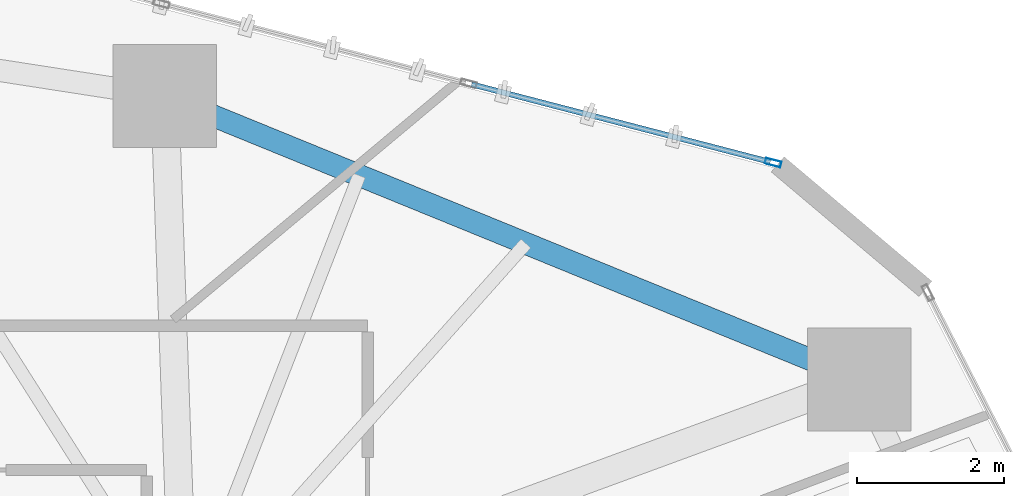
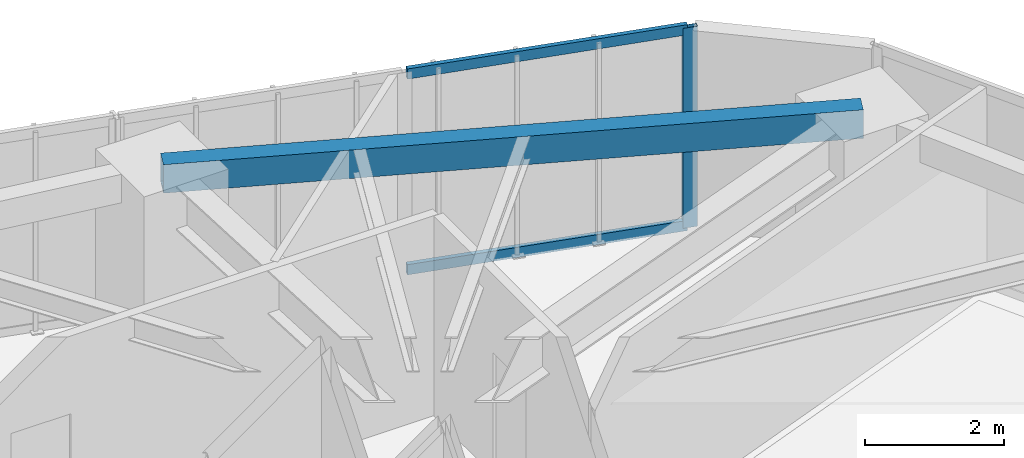
# One storey, part 16 of 23: 3 members, 1 beam, 1 element without a shape of its own.
"""IFC4 building model written with IfcOpenShell, lengths in metres."""

import ifcopenshell
import ifcopenshell.guid

model = None  # the IFC model being written
_history = None  # IfcOwnerHistory: only IFC2X3 demands one
_inside = {}  # id of a spatial element -> (the spatial element, [elements in it])
_under = {}  # id of a project, library or spatial element -> (it, [spatial elements below it])
_declared = {}  # id of a project -> (the project, [libraries it declares])
_typed = {}  # id of a type object -> (the type object, [elements of that type])
_made_of = {}  # id of a material, layer set ... -> (it, [elements and type objects made of it])


def new_model(schema):
    """Start an empty IFC model of exactly this schema.

    Asked for "IFC4X3", IfcOpenShell would pick the latest addendum, in which some entities
    have other attributes; the version numbers below select the first issue.
    IFC2X3 requires an IfcOwnerHistory on every rooted entity: one is made here for all.
    """
    global model, _history
    if schema == "IFC4X3":
        model = ifcopenshell.file(schema_version=(4, 3, 0, 0))
    else:
        model = ifcopenshell.file(schema=schema)
    _inside.clear()
    _under.clear()
    _declared.clear()
    _typed.clear()
    _made_of.clear()
    _history = None
    if model.schema == "IFC2X3":
        org = make("IfcOrganization", Name="unknown")
        user = make(
            "IfcPersonAndOrganization",
            ThePerson=make("IfcPerson", FamilyName="unknown"),
            TheOrganization=org,
        )
        app = make(
            "IfcApplication",
            ApplicationDeveloper=org,
            Version="unknown",
            ApplicationFullName="unknown",
            ApplicationIdentifier="unknown",
        )
        _history = make(
            "IfcOwnerHistory",
            OwningUser=user,
            OwningApplication=app,
            ChangeAction="ADDED",
            CreationDate=0,
        )
    return model


def make(cls, **values):
    """One entity of the class cls with the attributes given. An attribute that is None is left unset."""
    return model.create_entity(
        cls, **{name: value for name, value in values.items() if value is not None}
    )


def rooted(cls, **values):
    """An entity with a GlobalId (a new one), such as an element, a storey or a relation."""
    return make(cls, GlobalId=ifcopenshell.guid.new(), OwnerHistory=_history, **values)


def si_unit(unit_type, name, prefix=None):
    """IfcSIUnit, for example si_unit("LENGTHUNIT", "METRE", prefix="MILLI")."""
    return make("IfcSIUnit", UnitType=unit_type, Prefix=prefix, Name=name)


def assignment(units):
    """IfcUnitAssignment: the units of a project."""
    return None if units is None else make("IfcUnitAssignment", Units=units)


def point(xyz):
    """IfcCartesianPoint."""
    return None if xyz is None else make("IfcCartesianPoint", Coordinates=xyz)


def direction(xyz):
    """IfcDirection."""
    return None if xyz is None else make("IfcDirection", DirectionRatios=xyz)


def frame(location, z_axis=None, x_axis=None):
    """IfcAxis2Placement3D, a coordinate frame: its origin and axes. An axis left out is left unset."""
    return make(
        "IfcAxis2Placement3D",
        Location=point(location),
        Axis=direction(z_axis),
        RefDirection=direction(x_axis),
    )


def frame_2d(location, x_axis=None):
    """IfcAxis2Placement2D, a coordinate frame in the plane: its origin and x axis."""
    return make(
        "IfcAxis2Placement2D", Location=point(location), RefDirection=direction(x_axis)
    )


def origin():
    """The frame at (0, 0, 0) with its axes left unset."""
    return frame((0.0, 0.0, 0.0))


def origin_2d():
    """The frame at (0, 0) in the plane with its x axis left unset."""
    return frame_2d((0.0, 0.0))


def place(relative_to, where):
    """IfcLocalPlacement: puts the frame where relative to a parent placement (None: the world)."""
    return make(
        "IfcLocalPlacement", PlacementRelTo=relative_to, RelativePlacement=where
    )


def context(
    kind, dimensions, precision=None, world=None, true_north=None, identifier=None
):
    """IfcGeometricRepresentationContext, for example the 3D "Model" context."""
    return make(
        "IfcGeometricRepresentationContext",
        ContextIdentifier=identifier,
        ContextType=kind,
        CoordinateSpaceDimension=dimensions,
        Precision=precision,
        WorldCoordinateSystem=world,
        TrueNorth=true_north,
    )


def subcontext(parent, identifier, kind, view, scale=None):
    """IfcGeometricRepresentationSubContext, for example "Body" below "Model"."""
    return make(
        "IfcGeometricRepresentationSubContext",
        ContextIdentifier=identifier,
        ContextType=kind,
        ParentContext=parent,
        TargetScale=scale,
        TargetView=view,
    )


def project(units=None, contexts=None):
    """IfcProject with its units and contexts."""
    return rooted(
        "IfcProject",
        Name="project",
        RepresentationContexts=contexts,
        UnitsInContext=assignment(units),
    )


def spatial(cls, under=None, at=None, **own):
    """A site, building, storey or space (cls), placed at a placement, below another one or the project."""
    s = rooted(cls, ObjectPlacement=at, **own)
    if under is not None:
        _under.setdefault(under.id(), (under, []))[1].append(s)
    return s


def profile(cls, at=None, kind="AREA", **sizes):
    """A parametric profile (cls). Its sizes go by their IFC names, for example OverallWidth=200.0."""
    return make(cls, ProfileType=kind, Position=at, **sizes)


def hollow_rectangle(**sizes):
    """IfcRectangleHollowProfileDef."""
    return profile("IfcRectangleHollowProfileDef", **sizes)


def extrude(swept, where, along, depth):
    """IfcExtrudedAreaSolid: the profile swept, set in the frame where, extruded along a direction by depth."""
    return make(
        "IfcExtrudedAreaSolid",
        SweptArea=swept,
        Position=where,
        ExtrudedDirection=direction(along),
        Depth=depth,
    )


def shape(context_of_items, identifier, shape_type, items):
    """IfcShapeRepresentation: the items that make up one representation, for example the "Body"."""
    return make(
        "IfcShapeRepresentation",
        ContextOfItems=context_of_items,
        RepresentationIdentifier=identifier,
        RepresentationType=shape_type,
        Items=items,
    )


def source(mapping_origin, context_of_items, identifier, shape_type, items):
    """IfcRepresentationMap: a shape defined once, which mapped items show again and again."""
    return make(
        "IfcRepresentationMap",
        MappingOrigin=mapping_origin,
        MappedRepresentation=shape(context_of_items, identifier, shape_type, items),
    )


def transform(
    local_origin,
    x_axis=None,
    y_axis=None,
    z_axis=None,
    scale=None,
    scale2=None,
    scale3=None,
    uniform=True,
):
    """IfcCartesianTransformationOperator3D, or its non-uniform kind. x_axis, y_axis, z_axis: its Axis1, 2, 3."""
    if uniform:
        return make(
            "IfcCartesianTransformationOperator3D",
            Axis1=direction(x_axis),
            Axis2=direction(y_axis),
            LocalOrigin=point(local_origin),
            Scale=scale,
            Axis3=direction(z_axis),
        )
    return make(
        "IfcCartesianTransformationOperator3DnonUniform",
        Axis1=direction(x_axis),
        Axis2=direction(y_axis),
        LocalOrigin=point(local_origin),
        Scale=scale,
        Axis3=direction(z_axis),
        Scale2=scale2,
        Scale3=scale3,
    )


def mapped(mapping_source, mapping_target):
    """IfcMappedItem: shows the shape of a source again, moved by a transform."""
    return make(
        "IfcMappedItem", MappingSource=mapping_source, MappingTarget=mapping_target
    )


def material(Name=None, Category=None):
    """IfcMaterial."""
    return make("IfcMaterial", Name=Name, Category=Category)


def layer(
    of_material, thickness, ventilated=None, Name=None, Category=None, Priority=None
):
    """IfcMaterialLayer: one layer of a wall or slab, of a material (None: an air gap)."""
    return make(
        "IfcMaterialLayer",
        Material=of_material,
        LayerThickness=thickness,
        IsVentilated=ventilated,
        Name=Name,
        Category=Category,
        Priority=Priority,
    )


def layer_set(layers, Name=None):
    """IfcMaterialLayerSet."""
    return make("IfcMaterialLayerSet", MaterialLayers=layers, LayerSetName=Name)


def material_profile(
    of_material, cross_section, Name=None, Category=None, Priority=None
):
    """IfcMaterialProfile: a cross section and its material."""
    return make(
        "IfcMaterialProfile",
        Name=Name,
        Material=of_material,
        Profile=cross_section,
        Priority=Priority,
        Category=Category,
    )


def profile_set(profiles, Name=None, composite=None):
    """IfcMaterialProfileSet."""
    return make(
        "IfcMaterialProfileSet",
        Name=Name,
        MaterialProfiles=profiles,
        CompositeProfile=composite,
    )


def made_of(thing, what):
    """Note that an element or type object is made of a material, layer set ...; save() writes the relation."""
    if what is not None:
        _made_of.setdefault(what.id(), (what, []))[1].append(thing)
    return thing


def type_object(cls, material=None, **own):
    """A type object (cls), such as IfcWallType, which elements share."""
    return made_of(rooted(cls, **own), material)


def type_shapes(of_type, sources):
    """Give a type object the sources (RepresentationMaps) that its elements show as mapped items."""
    of_type.RepresentationMaps = sources


def element(
    cls,
    number,
    at=None,
    inside=None,
    cuts=None,
    type_object=None,
    material=None,
    context=None,
    identifier="Body",
    shape_type=None,
    held_by="IfcProductDefinitionShape",
    body=None,
    shapes=None,
    **own,
):
    """One element of the class cls, such as IfcWall. Its Tag is "e" and its number.

    at: its placement. inside: the storey or other place that contains it. cuts: it is an
    opening in that element (IfcRelVoidsElement). A single representation is given by context,
    identifier, shape_type and body (its items); several are given by shapes. held_by: the class
    of the entity that holds the representations. save() writes the other relations.
    """
    e = rooted(cls, Tag="e%d" % number, ObjectPlacement=at, **own)
    if body is not None:
        shapes = [shape(context, identifier, shape_type, body)]
    if shapes is not None:
        e.Representation = make(held_by, Representations=shapes)
    if inside is not None:
        _inside.setdefault(inside.id(), (inside, []))[1].append(e)
    if cuts is not None:
        rooted(
            "IfcRelVoidsElement", RelatingBuildingElement=cuts, RelatedOpeningElement=e
        )
    if type_object is not None:
        _typed.setdefault(type_object.id(), (type_object, []))[1].append(e)
    return made_of(e, material)


def aggregate(whole, parts):
    """IfcRelAggregates: a whole, such as a stair, and the parts it consists of."""
    return rooted("IfcRelAggregates", RelatingObject=whole, RelatedObjects=parts)


def save(model, path):
    """Write the relations noted so far, then the file.

    IfcRelAggregates (storeys below a building ...), IfcRelContainedInSpatialStructure (elements
    in a storey), IfcRelDefinesByType, IfcRelAssociatesMaterial and IfcRelDeclares: one each for
    every whole, place, type object, material and project.
    """
    for whole, parts in _under.values():
        aggregate(whole, parts)
    for where, things in _inside.values():
        rooted(
            "IfcRelContainedInSpatialStructure",
            RelatedElements=things,
            RelatingStructure=where,
        )
    for kind, things in _typed.values():
        rooted("IfcRelDefinesByType", RelatedObjects=things, RelatingType=kind)
    for what, things in _made_of.values():
        rooted("IfcRelAssociatesMaterial", RelatedObjects=things, RelatingMaterial=what)
    for by, libraries in _declared.values():
        rooted("IfcRelDeclares", RelatingContext=by, RelatedDefinitions=libraries)
    model.write(path)


model = new_model("IFC4")

# Units and contexts
model_context = context("Model", 3, precision=1e-05, world=origin(), true_north=direction((0.0, 1.0)))
body_context = subcontext(model_context, "Body", "Model", "MODEL_VIEW")
ifc_project = project(units=[si_unit("LENGTHUNIT", "METRE"), si_unit("AREAUNIT", "SQUARE_METRE"), si_unit("VOLUMEUNIT", "CUBIC_METRE"), si_unit("PLANEANGLEUNIT", "RADIAN"), si_unit("MASSUNIT", "GRAM", prefix="KILO")], contexts=[model_context])

# Site, building, storey
site_placement = place(None, origin())
site = spatial("IfcSite", under=ifc_project, at=site_placement, CompositionType="ELEMENT")
building_placement = place(site_placement, origin())
building = spatial("IfcBuilding", under=site, at=building_placement, Name="Talar Marvaseh", CompositionType="ELEMENT")
storey_placement = place(building_placement, frame((0.0, 0.0, 46.800048828125)))
storey = spatial("IfcBuildingStorey", under=building, at=storey_placement, Name="L11", CompositionType="ELEMENT", Elevation=46.800048828125)

# Beam
ifc_material_1 = material(Name="Steel S355", Category="steel")
ifc_material_profile_1 = material_profile(ifc_material_1, hollow_rectangle(XDim=0.300048828125, YDim=0.5, WallThickness=0.02001953125, at=origin_2d()), Name="RHS500x300x20")
ifc_profile_set_1 = profile_set([ifc_material_profile_1], Name="Steel S355")
beam_type = type_object("IfcBeamType", Name="Zone 1 Perimeter Spandrel Beam RHS500x300x20", PredefinedType="SPANDREL", material=ifc_profile_set_1)
beam_placement = place(storey_placement, frame((33.0458984375, 44.117919921875, 3.27001953125), z_axis=(0.92586732306, -0.377848779395, 0.0), x_axis=(0.377848779395, 0.92586732306, 0.0)))
element("IfcBeam", 1, at=beam_placement, inside=storey, type_object=beam_type, Name="L11 Zone 1 Perimeter Spandrel Beam RHS500x300x20", PredefinedType="SPANDREL", context=body_context, shape_type="SweptSolid", body=[
    extrude(hollow_rectangle(XDim=0.300048828125, YDim=0.5, WallThickness=0.02001953125, at=origin_2d()), origin(), (0.0, 0.0, 1.0), 10.186279296875),
])

# Curtain wall, members
ifc_material_2 = material(Name="Architectural Aluminium", Category="aluminium")
ifc_layer = layer(ifc_material_2, 0.219970703125)
ifc_layer_set = layer_set([ifc_layer], Name="Architectural Aluminium")
curtain_wall_type = type_object("IfcCurtainWallType", Name="Unitised Low-E Museum Curtain Wall Z1", PredefinedType="NOTDEFINED", material=ifc_layer_set)
curtain_wall_placement = place(storey_placement, origin())
curtain_wall = element("IfcCurtainWall", 2, at=curtain_wall_placement, inside=storey, type_object=curtain_wall_type, Name="L11 Unitised Low-E Museum Curtain Wall Z1", PredefinedType="NOTDEFINED")
ifc_material_profile_2 = material_profile(ifc_material_2, hollow_rectangle(XDim=0.080078125, YDim=0.219970703125, WallThickness=0.0048828125, at=origin_2d()), Name="RHS220x80x5")
ifc_profile_set_2 = profile_set([ifc_material_profile_2], Name="Architectural Aluminium")
member_type_1 = type_object("IfcMemberType", Name="Unitised Curtain Wall Heavy Mullion RHS220x80x5", PredefinedType="MULLION", material=ifc_profile_set_2)
shared_shape_1 = source(origin(), body_context, "Body", "SweptSolid", [
    extrude(hollow_rectangle(XDim=0.080078125, YDim=0.219970703125, WallThickness=0.0048828125, at=origin_2d()), origin(), (0.0, 0.0, 1.0), 3.52001953125),
])
type_shapes(member_type_1, [shared_shape_1])
member_1_placement = place(storey_placement, frame((41.307373046875, 43.213134765625, 0.0), z_axis=(0.0, 0.0, 1.0), x_axis=(0.251524908555, 0.967850825477, 0.0)))
member_1 = element("IfcMember", 3, at=member_1_placement, type_object=member_type_1, Name="CW-Z1 mullion 5", PredefinedType="MULLION", context=body_context, shape_type="MappedRepresentation", body=[
    mapped(shared_shape_1, transform((0.0, 0.0, 0.0), x_axis=(1.0, 0.0, 0.0), y_axis=(0.0, 1.0, 0.0), z_axis=(0.0, 0.0, 1.0), scale=1.0)),
])
ifc_material_profile_3 = material_profile(ifc_material_2, hollow_rectangle(XDim=0.074951171875, YDim=0.179931640625, WallThickness=0.0048828125, at=origin_2d()), Name="RHS180x75x5")
ifc_profile_set_3 = profile_set([ifc_material_profile_3], Name="Architectural Aluminium")
member_type_2 = type_object("IfcMemberType", Name="Unitised Curtain Wall Transom RHS180x75x5", PredefinedType="USERDEFINED", material=ifc_profile_set_3)
shared_shape_2 = source(origin(), body_context, "Body", "SweptSolid", [
    extrude(hollow_rectangle(XDim=0.074951171875, YDim=0.179931640625, WallThickness=0.0048828125, at=origin_2d()), origin(), (0.0, 0.0, 1.0), 4.19189453125),
])
type_shapes(member_type_2, [shared_shape_2])
member_2_placement = place(storey_placement, frame((37.211669921875, 44.277587890625, 0.037353515625), z_axis=(0.967846331224, -0.251542201502, 0.0), x_axis=(0.251542201502, 0.967846331224, 0.0)))
member_2 = element("IfcMember", 4, at=member_2_placement, type_object=member_type_2, Name="CW-Z1 transom 4.1", ObjectType="TRANSOM", PredefinedType="USERDEFINED", context=body_context, shape_type="MappedRepresentation", body=[
    mapped(shared_shape_2, transform((0.0, 0.0, 0.0), x_axis=(1.0, 0.0, 0.0), y_axis=(0.0, 1.0, 0.0), z_axis=(0.0, 0.0, 1.0), scale=1.0)),
])
member_3_placement = place(storey_placement, frame((37.211669921875, 44.277587890625, 3.482421875), z_axis=(0.967846331224, -0.251542201502, 0.0), x_axis=(0.251542201502, 0.967846331224, 0.0)))
member_3 = element("IfcMember", 5, at=member_3_placement, type_object=member_type_2, Name="CW-Z1 transom 4.2", ObjectType="TRANSOM", PredefinedType="USERDEFINED", context=body_context, shape_type="MappedRepresentation", body=[
    mapped(shared_shape_2, transform((0.0, 0.0, 0.0), x_axis=(1.0, 0.0, 0.0), y_axis=(0.0, 1.0, 0.0), z_axis=(0.0, 0.0, 1.0), scale=1.0)),
])
aggregate(curtain_wall, [member_1, member_2, member_3])

save(model, "model.ifc")
